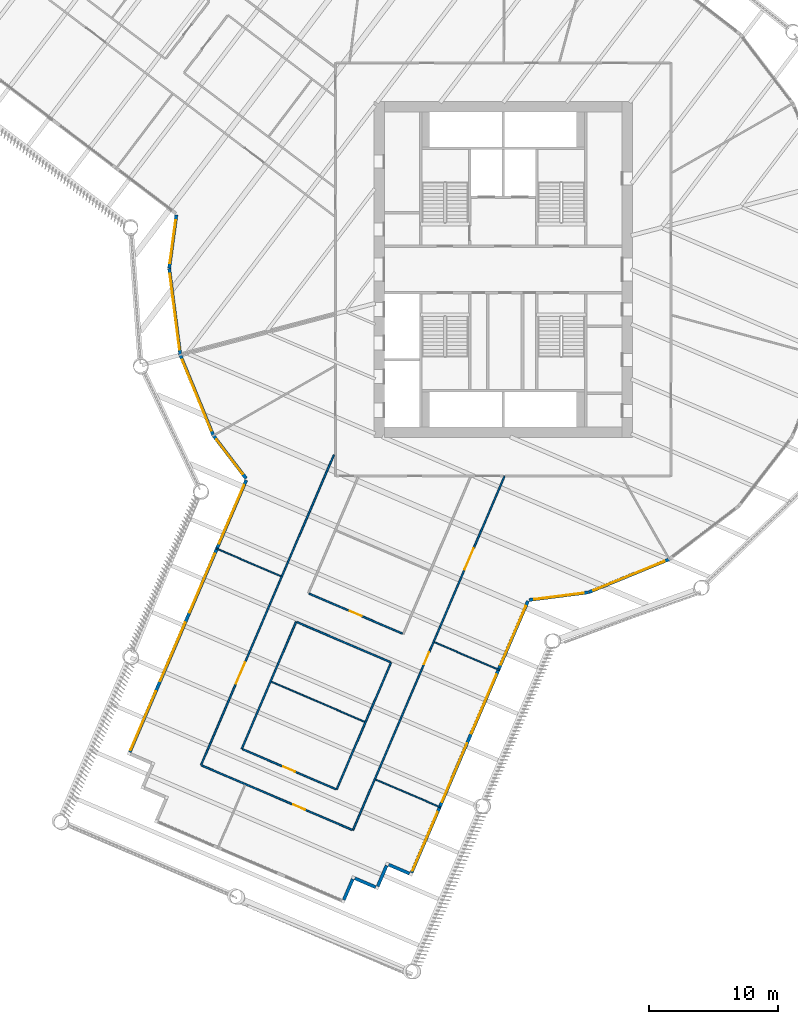
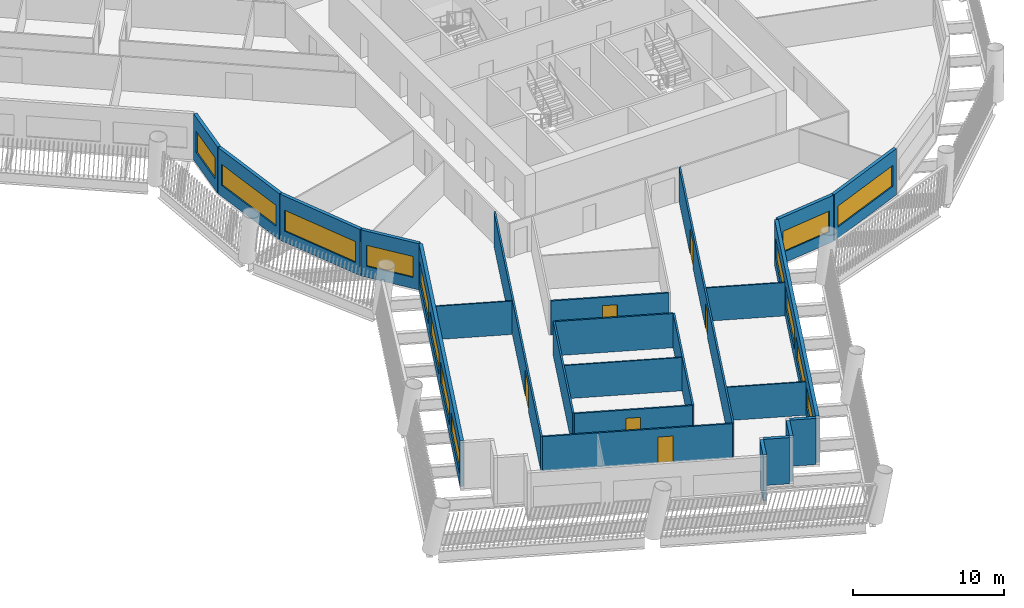
# One storey, part 3 of 16: 24 walls, 14 windows, 6 doors, 20 openings.
"""IFC4 building model written with IfcOpenShell, lengths in metres."""

from ifc_helpers import new_model, si_unit, direction, frame, frame_2d, origin, place, context, subcontext, project, spatial, rectangle, extrude, material, layer, layer_set, type_object, element, fill, save


model = new_model("IFC4")

# Units and contexts
model_context = context("Model", 3, precision=1e-05, world=origin(), true_north=direction((0.0, 1.0)))
body_context = subcontext(model_context, "Body", "Model", "MODEL_VIEW")
ifc_project = project(units=[si_unit("LENGTHUNIT", "METRE"), si_unit("AREAUNIT", "SQUARE_METRE"), si_unit("VOLUMEUNIT", "CUBIC_METRE"), si_unit("PLANEANGLEUNIT", "RADIAN"), si_unit("MASSUNIT", "GRAM", prefix="KILO")], contexts=[model_context])

# Site, building, storey
site_placement = place(None, origin())
site = spatial("IfcSite", under=ifc_project, at=site_placement, CompositionType="ELEMENT")
building_placement = place(site_placement, origin())
building = spatial("IfcBuilding", under=site, at=building_placement, Name="Tarsis Ring Headquarters", CompositionType="ELEMENT")
storey_placement = place(building_placement, frame((0.0, 0.0, 120.10009765625)))
storey = spatial("IfcBuildingStorey", under=building, at=storey_placement, Name="L27", CompositionType="ELEMENT", Elevation=120.10009765625)

# Walls
ifc_material_1 = material(Name="Gypsum board on steel studs", Category="steel")
ifc_layer_1 = layer(ifc_material_1, 0.10009765625)
ifc_layer_set_1 = layer_set([ifc_layer_1], Name="FL partition 100 unrated")
wall_type_1 = type_object("IfcWallType", Name="FL partition 100 unrated", PredefinedType="PARTITIONING", material=ifc_layer_set_1)
wall_1_placement = place(storey_placement, frame((-17.952392578125, -31.942138671875, 0.0), z_axis=(0.0, 0.0, 1.0), x_axis=(0.919279930558, -0.393604381674, 0.0)))
element("IfcWall", 1, at=wall_1_placement, inside=storey, type_object=wall_type_1, Name="Partition PW3", PredefinedType="PARTITIONING", context=body_context, shape_type="SweptSolid", body=[
    extrude(rectangle(XDim=7.860107421875, YDim=0.10009765625, at=frame_2d((3.93017578125, 0.0))), origin(), (0.0, 0.0, 1.0), 2.699951171875),
])
for number, where, z_axis, x_axis, name in (
    (2, (-22.250732421875, -21.605712890625, 0.0), (0.0, 0.0, 1.0), (0.919260208162, -0.393650440987, 0.0), "Partition PW3"),
    (3, (-5.32568359375, -28.874755859375, 0.0), (0.0, 0.0, 1.0), (0.919276329129, -0.393612792859, 0.0), "Partition PW3"),
    (4, (-9.8798828125, -39.5107421875, 0.0), (0.0, 0.0, 1.0), (0.919276329129, -0.393612792859, 0.0), "Partition PW3"),
):
    element("IfcWall", number, at=place(storey_placement, frame(where, z_axis=z_axis, x_axis=x_axis)), inside=storey, type_object=wall_type_1, Name=name, PredefinedType="PARTITIONING", context=body_context, shape_type="SweptSolid", body=[
        extrude(rectangle(XDim=5.47998046875, YDim=0.10009765625, at=frame_2d((2.739990234375, 0.0))), origin(), (0.0, 0.0, 1.0), 2.699951171875),
    ])

# Wall, openings, doors
ifc_layer_2 = layer(ifc_material_1, 0.125)
ifc_layer_set_2 = layer_set([ifc_layer_2], Name="FL partition 125 EI 60 H2770")
wall_type_2 = type_object("IfcWallType", Name="FL partition 125 EI 60 H2770", PredefinedType="PARTITIONING", material=ifc_layer_set_2)
wall_2_placement = place(storey_placement, frame((-11.63671875, -43.43603515625, 0.0), z_axis=(0.0, 0.0, 1.0), x_axis=(0.393622111774, 0.91927233893, 0.0)))
wall_2 = element("IfcWall", 5, at=wall_2_placement, inside=storey, type_object=wall_type_2, Name="Partition PW1", PredefinedType="PARTITIONING", context=body_context, shape_type="SweptSolid", body=[
    extrude(rectangle(XDim=29.845458984375, YDim=0.125, at=frame_2d((14.9228515625, 0.0))), origin(), (0.0, 0.0, 1.0), 2.77001953125),
])
opening_1_placement = place(wall_2_placement, frame((21.95947265625, 0.0, 0.0)))
opening_1 = element("IfcOpeningElement", 6, at=opening_1_placement, cuts=wall_2, Name="Opening D27.09", PredefinedType="OPENING", context=body_context, shape_type="SweptSolid", body=[
    extrude(rectangle(XDim=1.800048828125, YDim=2.10009765625, at=frame_2d((0.89990234375, 1.050048828125))), frame((0.0, 0.072509765625, 0.0), z_axis=(0.0, -1.0, 0.0), x_axis=(1.0, 0.0, 0.0)), (0.0, 0.0, 1.0), 0.14501953125),
])
opening_2_placement = place(wall_2_placement, frame((13.99169921875, 0.0, 0.0)))
opening_2 = element("IfcOpeningElement", 7, at=opening_2_placement, cuts=wall_2, Name="Opening D27.10", PredefinedType="OPENING", context=body_context, shape_type="SweptSolid", body=[
    extrude(rectangle(XDim=1.0, YDim=2.10009765625, at=frame_2d((0.5, 1.050048828125))), frame((0.0, 0.072509765625, 0.0), z_axis=(0.0, -1.0, 0.0), x_axis=(1.0, 0.0, 0.0)), (0.0, 0.0, 1.0), 0.14501953125),
])
ifc_material_2 = material(Name="Fire-rated timber door leaf in steel frame", Category="steel")
door_type_1 = type_object("IfcDoorType", Name="FL door FD60-1000", OperationType="NOTDEFINED", PredefinedType="DOOR", material=ifc_material_2)
door_1_placement = place(opening_2_placement, origin())
door_1 = element("IfcDoor", 8, at=door_1_placement, inside=storey, type_object=door_type_1, Name="Door D27.10", OperationType="SINGLE_SWING_LEFT", OverallHeight=2.10009765625, OverallWidth=1.0, PredefinedType="DOOR", context=body_context, shape_type="SweptSolid", body=[
    extrude(rectangle(XDim=1.0, YDim=2.10009765625, at=frame_2d((0.5, 1.050048828125))), frame((0.0, 0.02490234375, 0.0), z_axis=(0.0, -1.0, 0.0), x_axis=(1.0, 0.0, 0.0)), (0.0, 0.0, 1.0), 0.050048828125),
])
fill(opening_2, door_1)
door_type_2 = type_object("IfcDoorType", Name="FL door FD60-1800", OperationType="DOUBLE_DOOR_SINGLE_SWING", PredefinedType="DOOR", material=ifc_material_2)
door_2_placement = place(opening_1_placement, origin())
door_2 = element("IfcDoor", 9, at=door_2_placement, inside=storey, type_object=door_type_2, Name="Door D27.09", OperationType="DOUBLE_DOOR_SINGLE_SWING", OverallHeight=2.10009765625, OverallWidth=1.800048828125, PredefinedType="DOOR", context=body_context, shape_type="SweptSolid", body=[
    extrude(rectangle(XDim=1.800048828125, YDim=2.10009765625, at=frame_2d((0.89990234375, 1.050048828125))), frame((0.0, 0.02490234375, 0.0), z_axis=(0.0, -1.0, 0.0), x_axis=(1.0, 0.0, 0.0)), (0.0, 0.0, 1.0), 0.050048828125),
])
fill(opening_1, door_2)

# Wall, opening, door
wall_3_placement = place(storey_placement, frame((-23.4033203125, -38.397705078125, 0.0), z_axis=(0.0, 0.0, 1.0), x_axis=(0.393620682521, 0.919272950919, 0.0)))
wall_3 = element("IfcWall", 10, at=wall_3_placement, inside=storey, type_object=wall_type_2, Name="Partition PW1", PredefinedType="PARTITIONING", context=body_context, shape_type="SweptSolid", body=[
    extrude(rectangle(XDim=26.150146484375, YDim=0.125, at=frame_2d((13.0751953125, 0.0))), origin(), (0.0, 0.0, 1.0), 2.77001953125),
])
opening_3_placement = place(wall_3_placement, frame((6.85498046875, 0.0, 0.0)))
opening_3 = element("IfcOpeningElement", 11, at=opening_3_placement, cuts=wall_3, Name="Opening D27.12", PredefinedType="OPENING", context=body_context, shape_type="SweptSolid", body=[
    extrude(rectangle(XDim=1.800048828125, YDim=2.10009765625, at=frame_2d((0.89990234375, 1.050048828125))), frame((0.0, 0.072509765625, 0.0), z_axis=(0.0, -1.0, 0.0), x_axis=(1.0, 0.0, 0.0)), (0.0, 0.0, 1.0), 0.14501953125),
])
door_3_placement = place(opening_3_placement, origin())
door_3 = element("IfcDoor", 12, at=door_3_placement, inside=storey, type_object=door_type_2, Name="Door D27.12", OperationType="DOUBLE_DOOR_SINGLE_SWING", OverallHeight=2.10009765625, OverallWidth=1.800048828125, PredefinedType="DOOR", context=body_context, shape_type="SweptSolid", body=[
    extrude(rectangle(XDim=1.800048828125, YDim=2.10009765625, at=frame_2d((0.89990234375, 1.050048828125))), frame((0.0, 0.02490234375, 0.0), z_axis=(0.0, -1.0, 0.0), x_axis=(1.0, 0.0, 0.0)), (0.0, 0.0, 1.0), 0.050048828125),
])
fill(opening_3, door_3)

wall_4_placement = place(storey_placement, frame((-23.348388671875, -38.42138671875, 0.0), z_axis=(0.0, 0.0, 1.0), x_axis=(0.91927842686, -0.393607893608, 0.0)))
wall_4 = element("IfcWall", 13, at=wall_4_placement, inside=storey, type_object=wall_type_2, Name="Partition PW1", PredefinedType="PARTITIONING", context=body_context, shape_type="SweptSolid", body=[
    extrude(rectangle(XDim=12.679931640625, YDim=0.125, at=frame_2d((6.33984375, 0.0))), origin(), (0.0, 0.0, 1.0), 2.77001953125),
])
opening_4_placement = place(wall_4_placement, frame((7.706787109375, 0.0, 0.0)))
opening_4 = element("IfcOpeningElement", 14, at=opening_4_placement, cuts=wall_4, Name="Opening D27.11", PredefinedType="OPENING", context=body_context, shape_type="SweptSolid", body=[
    extrude(rectangle(XDim=1.0, YDim=2.10009765625, at=frame_2d((0.5, 1.050048828125))), frame((0.0, 0.072509765625, 0.0), z_axis=(0.0, -1.0, 0.0), x_axis=(1.0, 0.0, 0.0)), (0.0, 0.0, 1.0), 0.14501953125),
])
door_4_placement = place(opening_4_placement, origin())
door_4 = element("IfcDoor", 15, at=door_4_placement, inside=storey, type_object=door_type_1, Name="Door D27.11", OperationType="SINGLE_SWING_RIGHT", OverallHeight=2.10009765625, OverallWidth=1.0, PredefinedType="DOOR", context=body_context, shape_type="SweptSolid", body=[
    extrude(rectangle(XDim=1.0, YDim=2.10009765625, at=frame_2d((0.5, 1.050048828125))), frame((0.0, 0.02490234375, 0.0), z_axis=(0.0, -1.0, 0.0), x_axis=(1.0, 0.0, 0.0)), (0.0, 0.0, 1.0), 0.050048828125),
])
fill(opening_4, door_4)

# Walls
wall_5_placement = place(storey_placement, frame((-20.25244140625, -37.135986328125, 0.0), z_axis=(0.0, 0.0, 1.0), x_axis=(0.393619391648, 0.919273503653, 0.0)))
element("IfcWall", 16, at=wall_5_placement, inside=storey, type_object=wall_type_2, Name="Partition PW1", PredefinedType="PARTITIONING", context=body_context, shape_type="SweptSolid", body=[
    extrude(rectangle(XDim=10.709716796875, YDim=0.125, at=frame_2d((5.35498046875, 0.0))), origin(), (0.0, 0.0, 1.0), 2.77001953125),
])
wall_6_placement = place(storey_placement, frame((-12.898193359375, -40.28515625, 0.0), z_axis=(0.0, 0.0, 1.0), x_axis=(0.393611143194, 0.919277035476, 0.0)))
element("IfcWall", 17, at=wall_6_placement, inside=storey, type_object=wall_type_2, Name="Partition PW1", PredefinedType="PARTITIONING", context=body_context, shape_type="SweptSolid", body=[
    extrude(rectangle(XDim=10.7099609375, YDim=0.125, at=frame_2d((5.35498046875, 0.0))), origin(), (0.0, 0.0, 1.0), 2.77001953125),
])

# Wall, opening, door
wall_7_placement = place(storey_placement, frame((-15.036865234375, -25.10791015625, 0.0), z_axis=(0.0, 0.0, 1.0), x_axis=(0.919265179849, -0.393638830805, 0.0)))
wall_7 = element("IfcWall", 18, at=wall_7_placement, inside=storey, type_object=wall_type_2, Name="Partition PW1", PredefinedType="PARTITIONING", context=body_context, shape_type="SweptSolid", body=[
    extrude(rectangle(XDim=7.8798828125, YDim=0.125, at=frame_2d((3.93994140625, 0.0))), origin(), (0.0, 0.0, 1.0), 2.77001953125),
])
opening_5_placement = place(wall_7_placement, frame((3.43994140625, 0.0, 0.0)))
opening_5 = element("IfcOpeningElement", 19, at=opening_5_placement, cuts=wall_7, Name="Opening D27.19", PredefinedType="OPENING", context=body_context, shape_type="SweptSolid", body=[
    extrude(rectangle(XDim=1.0, YDim=2.10009765625, at=frame_2d((0.5, 1.050048828125))), frame((0.0, 0.072509765625, 0.0), z_axis=(0.0, -1.0, 0.0), x_axis=(1.0, 0.0, 0.0)), (0.0, 0.0, 1.0), 0.14501953125),
])
door_5_placement = place(opening_5_placement, origin())
door_5 = element("IfcDoor", 20, at=door_5_placement, inside=storey, type_object=door_type_1, Name="Door D27.19", OperationType="SINGLE_SWING_RIGHT", OverallHeight=2.10009765625, OverallWidth=1.0, PredefinedType="DOOR", context=body_context, shape_type="SweptSolid", body=[
    extrude(rectangle(XDim=1.0, YDim=2.10009765625, at=frame_2d((0.5, 1.050048828125))), frame((0.0, 0.02490234375, 0.0), z_axis=(0.0, -1.0, 0.0), x_axis=(1.0, 0.0, 0.0)), (0.0, 0.0, 1.0), 0.050048828125),
])
fill(opening_5, door_5)

# Wall
wall_8_placement = place(storey_placement, frame((-15.981689453125, -27.314208984375, 0.0), z_axis=(0.0, 0.0, 1.0), x_axis=(0.919269980505, -0.393627619639, 0.0)))
element("IfcWall", 21, at=wall_8_placement, inside=storey, type_object=wall_type_2, Name="Partition PW1", PredefinedType="PARTITIONING", context=body_context, shape_type="SweptSolid", body=[
    extrude(rectangle(XDim=7.880126953125, YDim=0.125, at=frame_2d((3.93994140625, 0.0))), origin(), (0.0, 0.0, 1.0), 2.77001953125),
])

# Wall, opening, door
wall_9_placement = place(storey_placement, frame((-20.197265625, -37.15966796875, 0.0), z_axis=(0.0, 0.0, 1.0), x_axis=(0.919269980505, -0.393627619639, 0.0)))
wall_9 = element("IfcWall", 22, at=wall_9_placement, inside=storey, type_object=wall_type_2, Name="Partition PW1", PredefinedType="PARTITIONING", context=body_context, shape_type="SweptSolid", body=[
    extrude(rectangle(XDim=7.880126953125, YDim=0.125, at=frame_2d((3.93994140625, 0.0))), origin(), (0.0, 0.0, 1.0), 2.77001953125),
])
opening_6_placement = place(wall_9_placement, frame((3.43994140625, 0.0, 0.0)))
opening_6 = element("IfcOpeningElement", 23, at=opening_6_placement, cuts=wall_9, Name="Opening D27.20", PredefinedType="OPENING", context=body_context, shape_type="SweptSolid", body=[
    extrude(rectangle(XDim=1.0, YDim=2.10009765625, at=frame_2d((0.5, 1.050048828125))), frame((0.0, 0.072509765625, 0.0), z_axis=(0.0, -1.0, 0.0), x_axis=(1.0, 0.0, 0.0)), (0.0, 0.0, 1.0), 0.14501953125),
])
door_6_placement = place(opening_6_placement, origin())
door_6 = element("IfcDoor", 24, at=door_6_placement, inside=storey, type_object=door_type_1, Name="Door D27.20", OperationType="SINGLE_SWING_LEFT", OverallHeight=2.10009765625, OverallWidth=1.0, PredefinedType="DOOR", context=body_context, shape_type="SweptSolid", body=[
    extrude(rectangle(XDim=1.0, YDim=2.10009765625, at=frame_2d((0.5, 1.050048828125))), frame((0.0, 0.02490234375, 0.0), z_axis=(0.0, -1.0, 0.0), x_axis=(1.0, 0.0, 0.0)), (0.0, 0.0, 1.0), 0.050048828125),
])
fill(opening_6, door_6)

# Wall, opening, window
ifc_material_3 = material(Name="Terracotta clad insulated panel wall", Category="masonry")
ifc_layer_3 = layer(ifc_material_3, 0.25)
ifc_layer_set_3 = layer_set([ifc_layer_3], Name="Facade wall terracotta panel 250")
wall_type_3 = type_object("IfcWallType", Name="Facade wall terracotta panel 250", PredefinedType="STANDARD", material=ifc_layer_set_3)
wall_10_placement = place(storey_placement, frame((-25.31591796875, 4.2177734375, 0.0), z_axis=(0.0, 0.0, 1.0), x_axis=(-0.133656034111, -0.991027781924, 0.0)))
wall_10 = element("IfcWall", 25, at=wall_10_placement, inside=storey, type_object=wall_type_3, Name="External wall L27-02", PredefinedType="STANDARD", context=body_context, shape_type="SweptSolid", body=[
    extrude(rectangle(XDim=4.157470703125, YDim=0.25, at=frame_2d((2.07861328125, 0.0))), origin(), (0.0, 0.0, 1.0), 3.739990234375),
])
opening_7_placement = place(wall_10_placement, frame((0.420166015625, 0.0, 0.89990234375)))
opening_7 = element("IfcOpeningElement", 26, at=opening_7_placement, cuts=wall_10, Name="Opening WN01", PredefinedType="OPENING", context=body_context, shape_type="SweptSolid", body=[
    extrude(rectangle(XDim=3.35009765625, YDim=1.699951171875, at=frame_2d((1.675048828125, 0.85009765625))), frame((0.0, 0.135009765625, 0.0), z_axis=(0.0, -1.0, 0.0), x_axis=(1.0, 0.0, 0.0)), (0.0, 0.0, 1.0), 0.27001953125),
])
ifc_material_4 = material(Name="Aluminium framed double glazing", Category="aluminium")
window_type_1 = type_object("IfcWindowType", Name="Facade window 3350 x 1700", PartitioningType="SINGLE_PANEL", PredefinedType="WINDOW", material=ifc_material_4)
window_1_placement = place(opening_7_placement, origin())
window_1 = element("IfcWindow", 27, at=window_1_placement, inside=storey, type_object=window_type_1, Name="Window L27-02.1", OverallHeight=1.699951171875, OverallWidth=3.35009765625, PartitioningType="SINGLE_PANEL", PredefinedType="WINDOW", context=body_context, shape_type="SweptSolid", body=[
    extrude(rectangle(XDim=3.35009765625, YDim=1.699951171875, at=frame_2d((1.675048828125, 0.85009765625))), frame((0.0, 0.030029296875, 0.0), z_axis=(0.0, -1.0, 0.0), x_axis=(1.0, 0.0, 0.0)), (0.0, 0.0, 1.0), 0.06005859375),
])
fill(opening_7, window_1)

wall_11_placement = place(storey_placement, frame((-25.87158203125, 0.06494140625, 0.0), z_axis=(0.0, 0.0, 1.0), x_axis=(0.127382387818, -0.991853682392, 0.0)))
wall_11 = element("IfcWall", 28, at=wall_11_placement, inside=storey, type_object=wall_type_3, Name="External wall L27-03", PredefinedType="STANDARD", context=body_context, shape_type="SweptSolid", body=[
    extrude(rectangle(XDim=6.721435546875, YDim=0.25, at=frame_2d((3.36083984375, 0.0))), origin(), (0.0, 0.0, 1.0), 3.739990234375),
])
opening_8_placement = place(wall_11_placement, frame((0.3857421875, 0.0, 0.89990234375)))
opening_8 = element("IfcOpeningElement", 29, at=opening_8_placement, cuts=wall_11, Name="Opening WN07", PredefinedType="OPENING", context=body_context, shape_type="SweptSolid", body=[
    extrude(rectangle(XDim=5.949951171875, YDim=1.699951171875, at=frame_2d((2.97509765625, 0.85009765625))), frame((0.0, 0.135009765625, 0.0), z_axis=(0.0, -1.0, 0.0), x_axis=(1.0, 0.0, 0.0)), (0.0, 0.0, 1.0), 0.27001953125),
])
window_type_2 = type_object("IfcWindowType", Name="Facade window 5950 x 1700", PartitioningType="SINGLE_PANEL", PredefinedType="WINDOW", material=ifc_material_4)
window_2_placement = place(opening_8_placement, origin())
window_2 = element("IfcWindow", 30, at=window_2_placement, inside=storey, type_object=window_type_2, Name="Window L27-03.1", OverallHeight=1.699951171875, OverallWidth=5.949951171875, PartitioningType="SINGLE_PANEL", PredefinedType="WINDOW", context=body_context, shape_type="SweptSolid", body=[
    extrude(rectangle(XDim=5.949951171875, YDim=1.699951171875, at=frame_2d((2.97509765625, 0.85009765625))), frame((0.0, 0.030029296875, 0.0), z_axis=(0.0, -1.0, 0.0), x_axis=(1.0, 0.0, 0.0)), (0.0, 0.0, 1.0), 0.06005859375),
])
fill(opening_8, window_2)

wall_12_placement = place(storey_placement, frame((-25.0068359375, -6.63330078125, 0.0), z_axis=(0.0, 0.0, 1.0), x_axis=(0.379748465257, -0.925089781121, 0.0)))
wall_12 = element("IfcWall", 31, at=wall_12_placement, inside=storey, type_object=wall_type_3, Name="External wall L27-04", PredefinedType="STANDARD", context=body_context, shape_type="SweptSolid", body=[
    extrude(rectangle(XDim=6.721435546875, YDim=0.25, at=frame_2d((3.36083984375, 0.0))), origin(), (0.0, 0.0, 1.0), 3.739990234375),
])
opening_9_placement = place(wall_12_placement, frame((0.3857421875, 0.0, 0.89990234375)))
opening_9 = element("IfcOpeningElement", 32, at=opening_9_placement, cuts=wall_12, Name="Opening WN07", PredefinedType="OPENING", context=body_context, shape_type="SweptSolid", body=[
    extrude(rectangle(XDim=5.949951171875, YDim=1.699951171875, at=frame_2d((2.97509765625, 0.85009765625))), frame((0.0, 0.135009765625, 0.0), z_axis=(0.0, -1.0, 0.0), x_axis=(1.0, 0.0, 0.0)), (0.0, 0.0, 1.0), 0.27001953125),
])
window_3_placement = place(opening_9_placement, origin())
window_3 = element("IfcWindow", 33, at=window_3_placement, inside=storey, type_object=window_type_2, Name="Window L27-04.1", OverallHeight=1.699951171875, OverallWidth=5.949951171875, PartitioningType="SINGLE_PANEL", PredefinedType="WINDOW", context=body_context, shape_type="SweptSolid", body=[
    extrude(rectangle(XDim=5.949951171875, YDim=1.699951171875, at=frame_2d((2.97509765625, 0.85009765625))), frame((0.0, 0.030029296875, 0.0), z_axis=(0.0, -1.0, 0.0), x_axis=(1.0, 0.0, 0.0)), (0.0, 0.0, 1.0), 0.06005859375),
])
fill(opening_9, window_3)

wall_13_placement = place(storey_placement, frame((-22.43798828125, -12.879638671875, 0.0), z_axis=(0.0, 0.0, 1.0), x_axis=(0.606248428063, -0.795275325577, 0.0)))
wall_13 = element("IfcWall", 34, at=wall_13_placement, inside=storey, type_object=wall_type_3, Name="External wall L27-05", PredefinedType="STANDARD", context=body_context, shape_type="SweptSolid", body=[
    extrude(rectangle(XDim=4.157470703125, YDim=0.25, at=frame_2d((2.07861328125, 0.0))), origin(), (0.0, 0.0, 1.0), 3.739990234375),
])
opening_10_placement = place(wall_13_placement, frame((0.38720703125, 0.0, 0.89990234375)))
opening_10 = element("IfcOpeningElement", 35, at=opening_10_placement, cuts=wall_13, Name="Opening WN01", PredefinedType="OPENING", context=body_context, shape_type="SweptSolid", body=[
    extrude(rectangle(XDim=3.35009765625, YDim=1.699951171875, at=frame_2d((1.675048828125, 0.85009765625))), frame((0.0, 0.135009765625, 0.0), z_axis=(0.0, -1.0, 0.0), x_axis=(1.0, 0.0, 0.0)), (0.0, 0.0, 1.0), 0.27001953125),
])
window_4_placement = place(opening_10_placement, origin())
window_4 = element("IfcWindow", 36, at=window_4_placement, inside=storey, type_object=window_type_1, Name="Window L27-05.1", OverallHeight=1.699951171875, OverallWidth=3.35009765625, PartitioningType="SINGLE_PANEL", PredefinedType="WINDOW", context=body_context, shape_type="SweptSolid", body=[
    extrude(rectangle(XDim=3.35009765625, YDim=1.699951171875, at=frame_2d((1.675048828125, 0.85009765625))), frame((0.0, 0.030029296875, 0.0), z_axis=(0.0, -1.0, 0.0), x_axis=(1.0, 0.0, 0.0)), (0.0, 0.0, 1.0), 0.06005859375),
])
fill(opening_10, window_4)

# Wall, openings, windows
wall_14_placement = place(storey_placement, frame((-19.90185546875, -16.31103515625, 0.0), z_axis=(0.0, 0.0, 1.0), x_axis=(-0.393626194509, -0.919270590738, 0.0)))
wall_14 = element("IfcWall", 37, at=wall_14_placement, inside=storey, type_object=wall_type_3, Name="External wall L27-06", PredefinedType="STANDARD", context=body_context, shape_type="SweptSolid", body=[
    extrude(rectangle(XDim=22.922119140625, YDim=0.25, at=frame_2d((11.4609375, 0.0))), origin(), (0.0, 0.0, 1.0), 3.739990234375),
])
opening_11_placement = place(wall_14_placement, frame((0.42138671875, 0.0, 0.89990234375)))
opening_11 = element("IfcOpeningElement", 38, at=opening_11_placement, cuts=wall_14, Name="Opening WN05", PredefinedType="OPENING", context=body_context, shape_type="SweptSolid", body=[
    extrude(rectangle(XDim=4.949951171875, YDim=1.699951171875, at=frame_2d((2.47509765625, 0.85009765625))), frame((0.0, 0.135009765625, 0.0), z_axis=(0.0, -1.0, 0.0), x_axis=(1.0, 0.0, 0.0)), (0.0, 0.0, 1.0), 0.27001953125),
])
opening_12_placement = place(wall_14_placement, frame((6.214599609375, 0.0, 0.89990234375)))
opening_12 = element("IfcOpeningElement", 39, at=opening_12_placement, cuts=wall_14, Name="Opening WN05", PredefinedType="OPENING", context=body_context, shape_type="SweptSolid", body=[
    extrude(rectangle(XDim=4.949951171875, YDim=1.699951171875, at=frame_2d((2.47509765625, 0.85009765625))), frame((0.0, 0.135009765625, 0.0), z_axis=(0.0, -1.0, 0.0), x_axis=(1.0, 0.0, 0.0)), (0.0, 0.0, 1.0), 0.27001953125),
])
opening_13_placement = place(wall_14_placement, frame((12.007568359375, 0.0, 0.89990234375)))
opening_13 = element("IfcOpeningElement", 40, at=opening_13_placement, cuts=wall_14, Name="Opening WN05", PredefinedType="OPENING", context=body_context, shape_type="SweptSolid", body=[
    extrude(rectangle(XDim=4.949951171875, YDim=1.699951171875, at=frame_2d((2.47509765625, 0.85009765625))), frame((0.0, 0.135009765625, 0.0), z_axis=(0.0, -1.0, 0.0), x_axis=(1.0, 0.0, 0.0)), (0.0, 0.0, 1.0), 0.27001953125),
])
opening_14_placement = place(wall_14_placement, frame((17.800537109375, 0.0, 0.89990234375)))
opening_14 = element("IfcOpeningElement", 41, at=opening_14_placement, cuts=wall_14, Name="Opening WN05", PredefinedType="OPENING", context=body_context, shape_type="SweptSolid", body=[
    extrude(rectangle(XDim=4.949951171875, YDim=1.699951171875, at=frame_2d((2.47509765625, 0.85009765625))), frame((0.0, 0.135009765625, 0.0), z_axis=(0.0, -1.0, 0.0), x_axis=(1.0, 0.0, 0.0)), (0.0, 0.0, 1.0), 0.27001953125),
])
window_type_3 = type_object("IfcWindowType", Name="Facade window 4950 x 1700", PartitioningType="SINGLE_PANEL", PredefinedType="WINDOW", material=ifc_material_4)
window_5_placement = place(opening_11_placement, origin())
window_5 = element("IfcWindow", 42, at=window_5_placement, inside=storey, type_object=window_type_3, Name="Window L27-06.1", OverallHeight=1.699951171875, OverallWidth=4.949951171875, PartitioningType="SINGLE_PANEL", PredefinedType="WINDOW", context=body_context, shape_type="SweptSolid", body=[
    extrude(rectangle(XDim=4.949951171875, YDim=1.699951171875, at=frame_2d((2.47509765625, 0.85009765625))), frame((0.0, 0.030029296875, 0.0), z_axis=(0.0, -1.0, 0.0), x_axis=(1.0, 0.0, 0.0)), (0.0, 0.0, 1.0), 0.06005859375),
])
fill(opening_11, window_5)
window_6_placement = place(opening_12_placement, origin())
window_6 = element("IfcWindow", 43, at=window_6_placement, inside=storey, type_object=window_type_3, Name="Window L27-06.2", OverallHeight=1.699951171875, OverallWidth=4.949951171875, PartitioningType="SINGLE_PANEL", PredefinedType="WINDOW", context=body_context, shape_type="SweptSolid", body=[
    extrude(rectangle(XDim=4.949951171875, YDim=1.699951171875, at=frame_2d((2.47509765625, 0.85009765625))), frame((0.0, 0.030029296875, 0.0), z_axis=(0.0, -1.0, 0.0), x_axis=(1.0, 0.0, 0.0)), (0.0, 0.0, 1.0), 0.06005859375),
])
fill(opening_12, window_6)
window_7_placement = place(opening_13_placement, origin())
window_7 = element("IfcWindow", 44, at=window_7_placement, inside=storey, type_object=window_type_3, Name="Window L27-06.3", OverallHeight=1.699951171875, OverallWidth=4.949951171875, PartitioningType="SINGLE_PANEL", PredefinedType="WINDOW", context=body_context, shape_type="SweptSolid", body=[
    extrude(rectangle(XDim=4.949951171875, YDim=1.699951171875, at=frame_2d((2.47509765625, 0.85009765625))), frame((0.0, 0.030029296875, 0.0), z_axis=(0.0, -1.0, 0.0), x_axis=(1.0, 0.0, 0.0)), (0.0, 0.0, 1.0), 0.06005859375),
])
fill(opening_13, window_7)
window_8_placement = place(opening_14_placement, origin())
window_8 = element("IfcWindow", 45, at=window_8_placement, inside=storey, type_object=window_type_3, Name="Window L27-06.4", OverallHeight=1.699951171875, OverallWidth=4.949951171875, PartitioningType="SINGLE_PANEL", PredefinedType="WINDOW", context=body_context, shape_type="SweptSolid", body=[
    extrude(rectangle(XDim=4.949951171875, YDim=1.699951171875, at=frame_2d((2.47509765625, 0.85009765625))), frame((0.0, 0.030029296875, 0.0), z_axis=(0.0, -1.0, 0.0), x_axis=(1.0, 0.0, 0.0)), (0.0, 0.0, 1.0), 0.06005859375),
])
fill(opening_14, window_8)

# Walls
wall_15_placement = place(storey_placement, frame((-12.34326171875, -48.83349609375, 0.0), z_axis=(0.0, 0.0, 1.0), x_axis=(0.393582502649, 0.919289298104, 0.0)))
element("IfcWall", 46, at=wall_15_placement, inside=storey, type_object=wall_type_3, Name="External wall L27-12", PredefinedType="STANDARD", context=body_context, shape_type="SweptSolid", body=[
    extrude(rectangle(XDim=1.749755859375, YDim=0.25, at=frame_2d((0.875, 0.0))), origin(), (0.0, 0.0, 1.0), 3.739990234375),
])
wall_16_placement = place(storey_placement, frame((-11.490478515625, -47.1591796875, 0.0), z_axis=(0.0, 0.0, 1.0), x_axis=(0.91931090641, -0.393532028374, 0.0)))
element("IfcWall", 47, at=wall_16_placement, inside=storey, type_object=wall_type_3, Name="External wall L27-13", PredefinedType="STANDARD", context=body_context, shape_type="SweptSolid", body=[
    extrude(rectangle(XDim=1.75, YDim=0.25, at=frame_2d((0.875, 0.0))), origin(), (0.0, 0.0, 1.0), 3.739990234375),
])
wall_17_placement = place(storey_placement, frame((-9.717529296875, -47.7822265625, 0.0), z_axis=(0.0, 0.0, 1.0), x_axis=(0.393582502649, 0.919289298104, 0.0)))
element("IfcWall", 48, at=wall_17_placement, inside=storey, type_object=wall_type_3, Name="External wall L27-14", PredefinedType="STANDARD", context=body_context, shape_type="SweptSolid", body=[
    extrude(rectangle(XDim=1.749755859375, YDim=0.25, at=frame_2d((0.875, 0.0))), origin(), (0.0, 0.0, 1.0), 3.739990234375),
])
wall_18_placement = place(storey_placement, frame((-8.86474609375, -46.10791015625, 0.0), z_axis=(0.0, 0.0, 1.0), x_axis=(0.91931090641, -0.393532028374, 0.0)))
element("IfcWall", 49, at=wall_18_placement, inside=storey, type_object=wall_type_3, Name="External wall L27-15", PredefinedType="STANDARD", context=body_context, shape_type="SweptSolid", body=[
    extrude(rectangle(XDim=1.75, YDim=0.25, at=frame_2d((0.875, 0.0))), origin(), (0.0, 0.0, 1.0), 3.739990234375),
])

# Wall, openings, windows
wall_19_placement = place(storey_placement, frame((-7.091796875, -46.73095703125, 0.0), z_axis=(0.0, 0.0, 1.0), x_axis=(0.393620781426, 0.91927290857, 0.0)))
wall_19 = element("IfcWall", 50, at=wall_19_placement, inside=storey, type_object=wall_type_3, Name="External wall L27-16", PredefinedType="STANDARD", context=body_context, shape_type="SweptSolid", body=[
    extrude(rectangle(XDim=22.901123046875, YDim=0.25, at=frame_2d((11.45068359375, 0.0))), origin(), (0.0, 0.0, 1.0), 3.739990234375),
])
opening_15_placement = place(wall_19_placement, frame((0.1689453125, 0.0, 0.89990234375)))
opening_15 = element("IfcOpeningElement", 51, at=opening_15_placement, cuts=wall_19, Name="Opening WN05", PredefinedType="OPENING", context=body_context, shape_type="SweptSolid", body=[
    extrude(rectangle(XDim=4.949951171875, YDim=1.699951171875, at=frame_2d((2.47509765625, 0.85009765625))), frame((0.0, 0.135009765625, 0.0), z_axis=(0.0, -1.0, 0.0), x_axis=(1.0, 0.0, 0.0)), (0.0, 0.0, 1.0), 0.27001953125),
])
opening_16_placement = place(wall_19_placement, frame((5.956787109375, 0.0, 0.89990234375)))
opening_16 = element("IfcOpeningElement", 52, at=opening_16_placement, cuts=wall_19, Name="Opening WN05", PredefinedType="OPENING", context=body_context, shape_type="SweptSolid", body=[
    extrude(rectangle(XDim=4.949951171875, YDim=1.699951171875, at=frame_2d((2.47509765625, 0.85009765625))), frame((0.0, 0.135009765625, 0.0), z_axis=(0.0, -1.0, 0.0), x_axis=(1.0, 0.0, 0.0)), (0.0, 0.0, 1.0), 0.27001953125),
])
opening_17_placement = place(wall_19_placement, frame((11.74462890625, 0.0, 0.89990234375)))
opening_17 = element("IfcOpeningElement", 53, at=opening_17_placement, cuts=wall_19, Name="Opening WN05", PredefinedType="OPENING", context=body_context, shape_type="SweptSolid", body=[
    extrude(rectangle(XDim=4.949951171875, YDim=1.699951171875, at=frame_2d((2.47509765625, 0.85009765625))), frame((0.0, 0.135009765625, 0.0), z_axis=(0.0, -1.0, 0.0), x_axis=(1.0, 0.0, 0.0)), (0.0, 0.0, 1.0), 0.27001953125),
])
opening_18_placement = place(wall_19_placement, frame((17.532470703125, 0.0, 0.89990234375)))
opening_18 = element("IfcOpeningElement", 54, at=opening_18_placement, cuts=wall_19, Name="Opening WN05", PredefinedType="OPENING", context=body_context, shape_type="SweptSolid", body=[
    extrude(rectangle(XDim=4.949951171875, YDim=1.699951171875, at=frame_2d((2.47509765625, 0.85009765625))), frame((0.0, 0.135009765625, 0.0), z_axis=(0.0, -1.0, 0.0), x_axis=(1.0, 0.0, 0.0)), (0.0, 0.0, 1.0), 0.27001953125),
])
window_9_placement = place(opening_15_placement, origin())
window_9 = element("IfcWindow", 55, at=window_9_placement, inside=storey, type_object=window_type_3, Name="Window L27-16.1", OverallHeight=1.699951171875, OverallWidth=4.949951171875, PartitioningType="SINGLE_PANEL", PredefinedType="WINDOW", context=body_context, shape_type="SweptSolid", body=[
    extrude(rectangle(XDim=4.949951171875, YDim=1.699951171875, at=frame_2d((2.47509765625, 0.85009765625))), frame((0.0, 0.030029296875, 0.0), z_axis=(0.0, -1.0, 0.0), x_axis=(1.0, 0.0, 0.0)), (0.0, 0.0, 1.0), 0.06005859375),
])
fill(opening_15, window_9)
window_10_placement = place(opening_16_placement, origin())
window_10 = element("IfcWindow", 56, at=window_10_placement, inside=storey, type_object=window_type_3, Name="Window L27-16.2", OverallHeight=1.699951171875, OverallWidth=4.949951171875, PartitioningType="SINGLE_PANEL", PredefinedType="WINDOW", context=body_context, shape_type="SweptSolid", body=[
    extrude(rectangle(XDim=4.949951171875, YDim=1.699951171875, at=frame_2d((2.47509765625, 0.85009765625))), frame((0.0, 0.030029296875, 0.0), z_axis=(0.0, -1.0, 0.0), x_axis=(1.0, 0.0, 0.0)), (0.0, 0.0, 1.0), 0.06005859375),
])
fill(opening_16, window_10)
window_11_placement = place(opening_17_placement, origin())
window_11 = element("IfcWindow", 57, at=window_11_placement, inside=storey, type_object=window_type_3, Name="Window L27-16.3", OverallHeight=1.699951171875, OverallWidth=4.949951171875, PartitioningType="SINGLE_PANEL", PredefinedType="WINDOW", context=body_context, shape_type="SweptSolid", body=[
    extrude(rectangle(XDim=4.949951171875, YDim=1.699951171875, at=frame_2d((2.47509765625, 0.85009765625))), frame((0.0, 0.030029296875, 0.0), z_axis=(0.0, -1.0, 0.0), x_axis=(1.0, 0.0, 0.0)), (0.0, 0.0, 1.0), 0.06005859375),
])
fill(opening_17, window_11)
window_12_placement = place(opening_18_placement, origin())
window_12 = element("IfcWindow", 58, at=window_12_placement, inside=storey, type_object=window_type_3, Name="Window L27-16.4", OverallHeight=1.699951171875, OverallWidth=4.949951171875, PartitioningType="SINGLE_PANEL", PredefinedType="WINDOW", context=body_context, shape_type="SweptSolid", body=[
    extrude(rectangle(XDim=4.949951171875, YDim=1.699951171875, at=frame_2d((2.47509765625, 0.85009765625))), frame((0.0, 0.030029296875, 0.0), z_axis=(0.0, -1.0, 0.0), x_axis=(1.0, 0.0, 0.0)), (0.0, 0.0, 1.0), 0.06005859375),
])
fill(opening_18, window_12)

# Wall, opening, window
wall_20_placement = place(storey_placement, frame((2.021728515625, -25.603759765625, 0.0), z_axis=(0.0, 0.0, 1.0), x_axis=(0.991849144021, 0.127417720527, 0.0)))
wall_20 = element("IfcWall", 59, at=wall_20_placement, inside=storey, type_object=wall_type_3, Name="External wall L27-17", PredefinedType="STANDARD", context=body_context, shape_type="SweptSolid", body=[
    extrude(rectangle(XDim=4.61767578125, YDim=0.25, at=frame_2d((2.308837890625, 0.0))), origin(), (0.0, 0.0, 1.0), 3.739990234375),
])
opening_19_placement = place(wall_20_placement, frame((0.400390625, 0.0, 0.89990234375)))
opening_19 = element("IfcOpeningElement", 60, at=opening_19_placement, cuts=wall_20, Name="Opening WN02", PredefinedType="OPENING", context=body_context, shape_type="SweptSolid", body=[
    extrude(rectangle(XDim=3.85009765625, YDim=1.699951171875, at=frame_2d((1.925048828125, 0.85009765625))), frame((0.0, 0.135009765625, 0.0), z_axis=(0.0, -1.0, 0.0), x_axis=(1.0, 0.0, 0.0)), (0.0, 0.0, 1.0), 0.27001953125),
])
window_type_4 = type_object("IfcWindowType", Name="Facade window 3850 x 1700", PartitioningType="SINGLE_PANEL", PredefinedType="WINDOW", material=ifc_material_4)
window_13_placement = place(opening_19_placement, origin())
window_13 = element("IfcWindow", 61, at=window_13_placement, inside=storey, type_object=window_type_4, Name="Window L27-17.1", OverallHeight=1.699951171875, OverallWidth=3.85009765625, PartitioningType="SINGLE_PANEL", PredefinedType="WINDOW", context=body_context, shape_type="SweptSolid", body=[
    extrude(rectangle(XDim=3.85009765625, YDim=1.699951171875, at=frame_2d((1.925048828125, 0.85009765625))), frame((0.0, 0.030029296875, 0.0), z_axis=(0.0, -1.0, 0.0), x_axis=(1.0, 0.0, 0.0)), (0.0, 0.0, 1.0), 0.06005859375),
])
fill(opening_19, window_13)

wall_21_placement = place(storey_placement, frame((6.63330078125, -25.0068359375, 0.0), z_axis=(0.0, 0.0, 1.0), x_axis=(0.925089781121, 0.379748465257, 0.0)))
wall_21 = element("IfcWall", 62, at=wall_21_placement, inside=storey, type_object=wall_type_3, Name="External wall L27-18", PredefinedType="STANDARD", context=body_context, shape_type="SweptSolid", body=[
    extrude(rectangle(XDim=6.721435546875, YDim=0.25, at=frame_2d((3.36083984375, 0.0))), origin(), (0.0, 0.0, 1.0), 3.739990234375),
])
opening_20_placement = place(wall_21_placement, frame((0.3857421875, 0.0, 0.89990234375)))
opening_20 = element("IfcOpeningElement", 63, at=opening_20_placement, cuts=wall_21, Name="Opening WN07", PredefinedType="OPENING", context=body_context, shape_type="SweptSolid", body=[
    extrude(rectangle(XDim=5.949951171875, YDim=1.699951171875, at=frame_2d((2.97509765625, 0.85009765625))), frame((0.0, 0.135009765625, 0.0), z_axis=(0.0, -1.0, 0.0), x_axis=(1.0, 0.0, 0.0)), (0.0, 0.0, 1.0), 0.27001953125),
])
window_14_placement = place(opening_20_placement, origin())
window_14 = element("IfcWindow", 64, at=window_14_placement, inside=storey, type_object=window_type_2, Name="Window L27-18.1", OverallHeight=1.699951171875, OverallWidth=5.949951171875, PartitioningType="SINGLE_PANEL", PredefinedType="WINDOW", context=body_context, shape_type="SweptSolid", body=[
    extrude(rectangle(XDim=5.949951171875, YDim=1.699951171875, at=frame_2d((2.97509765625, 0.85009765625))), frame((0.0, 0.030029296875, 0.0), z_axis=(0.0, -1.0, 0.0), x_axis=(1.0, 0.0, 0.0)), (0.0, 0.0, 1.0), 0.06005859375),
])
fill(opening_20, window_14)

save(model, "model.ifc")
